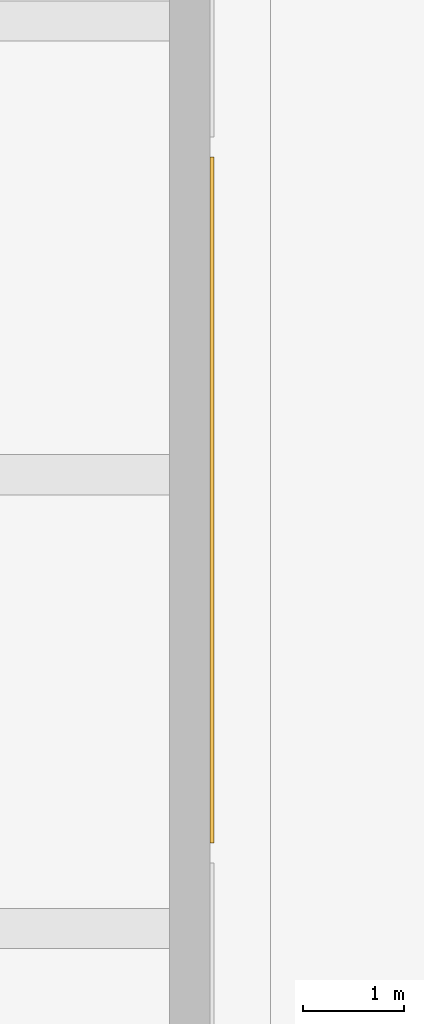
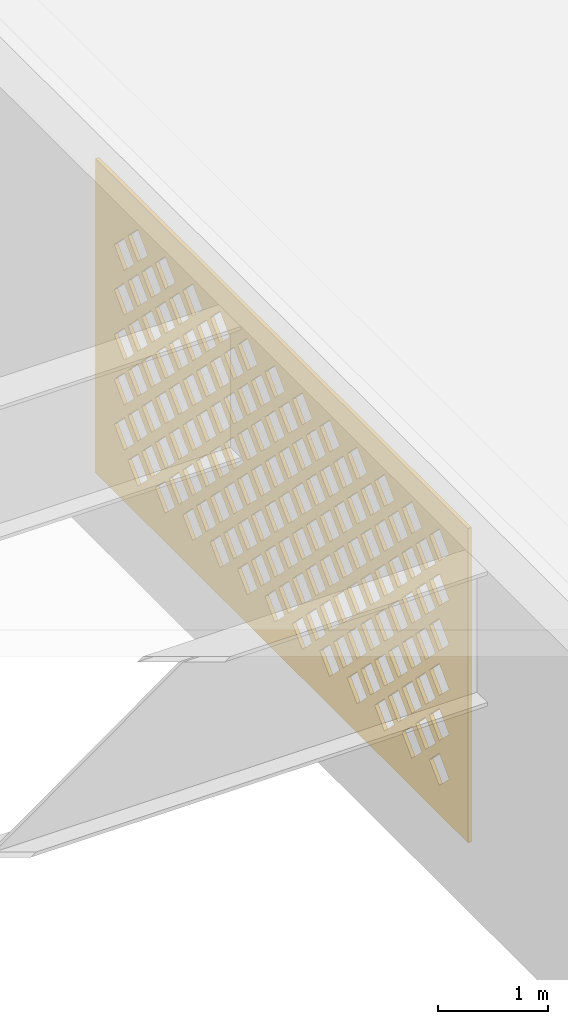
# One storey, part 26 of 63: 1 covering.
"""IFC4 building model written with IfcOpenShell, lengths in metres."""

from ifc_helpers import new_model, si_unit, direction, frame, origin, place, context, subcontext, project, spatial, polyline, outline, extrude, material, layer, layer_set, type_object, element, save


model = new_model("IFC4")

# Units and contexts
model_context = context("Model", 3, precision=1e-05, world=origin(), true_north=direction((0.0, 1.0)))
body_context = subcontext(model_context, "Body", "Model", "MODEL_VIEW")
ifc_project = project(units=[si_unit("LENGTHUNIT", "METRE"), si_unit("AREAUNIT", "SQUARE_METRE"), si_unit("VOLUMEUNIT", "CUBIC_METRE"), si_unit("PLANEANGLEUNIT", "RADIAN"), si_unit("MASSUNIT", "GRAM", prefix="KILO")], contexts=[model_context])

# Site, building, storey
site_placement = place(None, origin())
site = spatial("IfcSite", under=ifc_project, at=site_placement, CompositionType="ELEMENT")
building_placement = place(site_placement, origin())
building = spatial("IfcBuilding", under=site, at=building_placement, Name="Noorbagh Ring Tower", CompositionType="ELEMENT")
storey_placement = place(building_placement, frame((0.0, 0.0, 25.0)))
storey = spatial("IfcBuildingStorey", under=building, at=storey_placement, Name="L04", CompositionType="ELEMENT", Elevation=25.0)

# Covering
ifc_material = material(Name="Red sandstone jali", Category="masonry")
ifc_layer = layer(ifc_material, 0.0400390625)
ifc_layer_set = layer_set([ifc_layer], Name="Red sandstone jali")
covering_type = type_object("IfcCoveringType", Name="STH-BAND", PredefinedType="USERDEFINED", material=ifc_layer_set)
covering_placement = place(storey_placement, frame((-139.760009765625, -5.39990234375, 0.199951171875), z_axis=(1.0, 0.0, 0.0), x_axis=(0.0, 1.0, 0.0)))
element("IfcCovering", 1, at=covering_placement, inside=storey, type_object=covering_type, Name="Jali band of the stage house", ObjectType="JALI SCREEN", PredefinedType="USERDEFINED", context=body_context, shape_type="SweptSolid", body=[
    extrude(outline(polyline([(0.0, 0.0), (6.7998046875, 0.0), (6.7998046875, 3.5), (0.0, 3.5), (0.0, 0.0)]), holes=[polyline([(0.344970703125, 0.5), (0.52490234375, 0.320068359375), (0.705078125, 0.5), (0.52490234375, 0.679931640625), (0.344970703125, 0.5)]), polyline([(0.844970703125, 0.5), (1.02490234375, 0.320068359375), (1.205078125, 0.5), (1.02490234375, 0.679931640625), (0.844970703125, 0.5)]), polyline([(1.344970703125, 0.5), (1.52490234375, 0.320068359375), (1.705078125, 0.5), (1.52490234375, 0.679931640625), (1.344970703125, 0.5)]), polyline([(1.844970703125, 0.5), (2.02490234375, 0.320068359375), (2.205078125, 0.5), (2.02490234375, 0.679931640625), (1.844970703125, 0.5)]), polyline([(2.344970703125, 0.5), (2.52490234375, 0.320068359375), (2.705078125, 0.5), (2.52490234375, 0.679931640625), (2.344970703125, 0.5)]), polyline([(2.844970703125, 0.5), (3.02490234375, 0.320068359375), (3.205078125, 0.5), (3.02490234375, 0.679931640625), (2.844970703125, 0.5)]), polyline([(3.344970703125, 0.5), (3.52490234375, 0.320068359375), (3.705078125, 0.5), (3.52490234375, 0.679931640625), (3.344970703125, 0.5)]), polyline([(3.844970703125, 0.5), (4.02490234375, 0.320068359375), (4.205078125, 0.5), (4.02490234375, 0.679931640625), (3.844970703125, 0.5)]), polyline([(4.344970703125, 0.5), (4.52490234375, 0.320068359375), (4.705078125, 0.5), (4.52490234375, 0.679931640625), (4.344970703125, 0.5)]), polyline([(4.844970703125, 0.5), (5.02490234375, 0.320068359375), (5.205078125, 0.5), (5.02490234375, 0.679931640625), (4.844970703125, 0.5)]), polyline([(5.344970703125, 0.5), (5.52490234375, 0.320068359375), (5.705078125, 0.5), (5.52490234375, 0.679931640625), (5.344970703125, 0.5)]), polyline([(5.844970703125, 0.5), (6.02490234375, 0.320068359375), (6.205078125, 0.5), (6.02490234375, 0.679931640625), (5.844970703125, 0.5)]), polyline([(0.594970703125, 0.75), (0.77490234375, 0.570068359375), (0.955078125, 0.75), (0.77490234375, 0.929931640625), (0.594970703125, 0.75)]), polyline([(1.094970703125, 0.75), (1.27490234375, 0.570068359375), (1.455078125, 0.75), (1.27490234375, 0.929931640625), (1.094970703125, 0.75)]), polyline([(1.594970703125, 0.75), (1.77490234375, 0.570068359375), (1.955078125, 0.75), (1.77490234375, 0.929931640625), (1.594970703125, 0.75)]), polyline([(2.094970703125, 0.75), (2.27490234375, 0.570068359375), (2.455078125, 0.75), (2.27490234375, 0.929931640625), (2.094970703125, 0.75)]), polyline([(2.594970703125, 0.75), (2.77490234375, 0.570068359375), (2.955078125, 0.75), (2.77490234375, 0.929931640625), (2.594970703125, 0.75)]), polyline([(3.094970703125, 0.75), (3.27490234375, 0.570068359375), (3.455078125, 0.75), (3.27490234375, 0.929931640625), (3.094970703125, 0.75)]), polyline([(3.594970703125, 0.75), (3.77490234375, 0.570068359375), (3.955078125, 0.75), (3.77490234375, 0.929931640625), (3.594970703125, 0.75)]), polyline([(4.094970703125, 0.75), (4.27490234375, 0.570068359375), (4.455078125, 0.75), (4.27490234375, 0.929931640625), (4.094970703125, 0.75)]), polyline([(4.594970703125, 0.75), (4.77490234375, 0.570068359375), (4.955078125, 0.75), (4.77490234375, 0.929931640625), (4.594970703125, 0.75)]), polyline([(5.094970703125, 0.75), (5.27490234375, 0.570068359375), (5.455078125, 0.75), (5.27490234375, 0.929931640625), (5.094970703125, 0.75)]), polyline([(5.594970703125, 0.75), (5.77490234375, 0.570068359375), (5.955078125, 0.75), (5.77490234375, 0.929931640625), (5.594970703125, 0.75)]), polyline([(6.094970703125, 0.75), (6.27490234375, 0.570068359375), (6.455078125, 0.75), (6.27490234375, 0.929931640625), (6.094970703125, 0.75)]), polyline([(0.344970703125, 1.0), (0.52490234375, 0.820068359375), (0.705078125, 1.0), (0.52490234375, 1.179931640625), (0.344970703125, 1.0)]), polyline([(0.844970703125, 1.0), (1.02490234375, 0.820068359375), (1.205078125, 1.0), (1.02490234375, 1.179931640625), (0.844970703125, 1.0)]), polyline([(1.344970703125, 1.0), (1.52490234375, 0.820068359375), (1.705078125, 1.0), (1.52490234375, 1.179931640625), (1.344970703125, 1.0)]), polyline([(1.844970703125, 1.0), (2.02490234375, 0.820068359375), (2.205078125, 1.0), (2.02490234375, 1.179931640625), (1.844970703125, 1.0)]), polyline([(2.344970703125, 1.0), (2.52490234375, 0.820068359375), (2.705078125, 1.0), (2.52490234375, 1.179931640625), (2.344970703125, 1.0)]), polyline([(2.844970703125, 1.0), (3.02490234375, 0.820068359375), (3.205078125, 1.0), (3.02490234375, 1.179931640625), (2.844970703125, 1.0)]), polyline([(3.344970703125, 1.0), (3.52490234375, 0.820068359375), (3.705078125, 1.0), (3.52490234375, 1.179931640625), (3.344970703125, 1.0)]), polyline([(3.844970703125, 1.0), (4.02490234375, 0.820068359375), (4.205078125, 1.0), (4.02490234375, 1.179931640625), (3.844970703125, 1.0)]), polyline([(4.344970703125, 1.0), (4.52490234375, 0.820068359375), (4.705078125, 1.0), (4.52490234375, 1.179931640625), (4.344970703125, 1.0)]), polyline([(4.844970703125, 1.0), (5.02490234375, 0.820068359375), (5.205078125, 1.0), (5.02490234375, 1.179931640625), (4.844970703125, 1.0)]), polyline([(5.344970703125, 1.0), (5.52490234375, 0.820068359375), (5.705078125, 1.0), (5.52490234375, 1.179931640625), (5.344970703125, 1.0)]), polyline([(5.844970703125, 1.0), (6.02490234375, 0.820068359375), (6.205078125, 1.0), (6.02490234375, 1.179931640625), (5.844970703125, 1.0)]), polyline([(0.594970703125, 1.25), (0.77490234375, 1.070068359375), (0.955078125, 1.25), (0.77490234375, 1.429931640625), (0.594970703125, 1.25)]), polyline([(1.094970703125, 1.25), (1.27490234375, 1.070068359375), (1.455078125, 1.25), (1.27490234375, 1.429931640625), (1.094970703125, 1.25)]), polyline([(1.594970703125, 1.25), (1.77490234375, 1.070068359375), (1.955078125, 1.25), (1.77490234375, 1.429931640625), (1.594970703125, 1.25)]), polyline([(2.094970703125, 1.25), (2.27490234375, 1.070068359375), (2.455078125, 1.25), (2.27490234375, 1.429931640625), (2.094970703125, 1.25)]), polyline([(2.594970703125, 1.25), (2.77490234375, 1.070068359375), (2.955078125, 1.25), (2.77490234375, 1.429931640625), (2.594970703125, 1.25)]), polyline([(3.094970703125, 1.25), (3.27490234375, 1.070068359375), (3.455078125, 1.25), (3.27490234375, 1.429931640625), (3.094970703125, 1.25)]), polyline([(3.594970703125, 1.25), (3.77490234375, 1.070068359375), (3.955078125, 1.25), (3.77490234375, 1.429931640625), (3.594970703125, 1.25)]), polyline([(4.094970703125, 1.25), (4.27490234375, 1.070068359375), (4.455078125, 1.25), (4.27490234375, 1.429931640625), (4.094970703125, 1.25)]), polyline([(4.594970703125, 1.25), (4.77490234375, 1.070068359375), (4.955078125, 1.25), (4.77490234375, 1.429931640625), (4.594970703125, 1.25)]), polyline([(5.094970703125, 1.25), (5.27490234375, 1.070068359375), (5.455078125, 1.25), (5.27490234375, 1.429931640625), (5.094970703125, 1.25)]), polyline([(5.594970703125, 1.25), (5.77490234375, 1.070068359375), (5.955078125, 1.25), (5.77490234375, 1.429931640625), (5.594970703125, 1.25)]), polyline([(6.094970703125, 1.25), (6.27490234375, 1.070068359375), (6.455078125, 1.25), (6.27490234375, 1.429931640625), (6.094970703125, 1.25)]), polyline([(0.344970703125, 1.5), (0.52490234375, 1.320068359375), (0.705078125, 1.5), (0.52490234375, 1.679931640625), (0.344970703125, 1.5)]), polyline([(0.844970703125, 1.5), (1.02490234375, 1.320068359375), (1.205078125, 1.5), (1.02490234375, 1.679931640625), (0.844970703125, 1.5)]), polyline([(1.344970703125, 1.5), (1.52490234375, 1.320068359375), (1.705078125, 1.5), (1.52490234375, 1.679931640625), (1.344970703125, 1.5)]), polyline([(1.844970703125, 1.5), (2.02490234375, 1.320068359375), (2.205078125, 1.5), (2.02490234375, 1.679931640625), (1.844970703125, 1.5)]), polyline([(2.344970703125, 1.5), (2.52490234375, 1.320068359375), (2.705078125, 1.5), (2.52490234375, 1.679931640625), (2.344970703125, 1.5)]), polyline([(2.844970703125, 1.5), (3.02490234375, 1.320068359375), (3.205078125, 1.5), (3.02490234375, 1.679931640625), (2.844970703125, 1.5)]), polyline([(3.344970703125, 1.5), (3.52490234375, 1.320068359375), (3.705078125, 1.5), (3.52490234375, 1.679931640625), (3.344970703125, 1.5)]), polyline([(3.844970703125, 1.5), (4.02490234375, 1.320068359375), (4.205078125, 1.5), (4.02490234375, 1.679931640625), (3.844970703125, 1.5)]), polyline([(4.344970703125, 1.5), (4.52490234375, 1.320068359375), (4.705078125, 1.5), (4.52490234375, 1.679931640625), (4.344970703125, 1.5)]), polyline([(4.844970703125, 1.5), (5.02490234375, 1.320068359375), (5.205078125, 1.5), (5.02490234375, 1.679931640625), (4.844970703125, 1.5)]), polyline([(5.344970703125, 1.5), (5.52490234375, 1.320068359375), (5.705078125, 1.5), (5.52490234375, 1.679931640625), (5.344970703125, 1.5)]), polyline([(5.844970703125, 1.5), (6.02490234375, 1.320068359375), (6.205078125, 1.5), (6.02490234375, 1.679931640625), (5.844970703125, 1.5)]), polyline([(0.594970703125, 1.75), (0.77490234375, 1.570068359375), (0.955078125, 1.75), (0.77490234375, 1.929931640625), (0.594970703125, 1.75)]), polyline([(1.094970703125, 1.75), (1.27490234375, 1.570068359375), (1.455078125, 1.75), (1.27490234375, 1.929931640625), (1.094970703125, 1.75)]), polyline([(1.594970703125, 1.75), (1.77490234375, 1.570068359375), (1.955078125, 1.75), (1.77490234375, 1.929931640625), (1.594970703125, 1.75)]), polyline([(2.094970703125, 1.75), (2.27490234375, 1.570068359375), (2.455078125, 1.75), (2.27490234375, 1.929931640625), (2.094970703125, 1.75)]), polyline([(2.594970703125, 1.75), (2.77490234375, 1.570068359375), (2.955078125, 1.75), (2.77490234375, 1.929931640625), (2.594970703125, 1.75)]), polyline([(3.094970703125, 1.75), (3.27490234375, 1.570068359375), (3.455078125, 1.75), (3.27490234375, 1.929931640625), (3.094970703125, 1.75)]), polyline([(3.594970703125, 1.75), (3.77490234375, 1.570068359375), (3.955078125, 1.75), (3.77490234375, 1.929931640625), (3.594970703125, 1.75)]), polyline([(4.094970703125, 1.75), (4.27490234375, 1.570068359375), (4.455078125, 1.75), (4.27490234375, 1.929931640625), (4.094970703125, 1.75)]), polyline([(4.594970703125, 1.75), (4.77490234375, 1.570068359375), (4.955078125, 1.75), (4.77490234375, 1.929931640625), (4.594970703125, 1.75)]), polyline([(5.094970703125, 1.75), (5.27490234375, 1.570068359375), (5.455078125, 1.75), (5.27490234375, 1.929931640625), (5.094970703125, 1.75)]), polyline([(5.594970703125, 1.75), (5.77490234375, 1.570068359375), (5.955078125, 1.75), (5.77490234375, 1.929931640625), (5.594970703125, 1.75)]), polyline([(6.094970703125, 1.75), (6.27490234375, 1.570068359375), (6.455078125, 1.75), (6.27490234375, 1.929931640625), (6.094970703125, 1.75)]), polyline([(0.344970703125, 2.0), (0.52490234375, 1.820068359375), (0.705078125, 2.0), (0.52490234375, 2.179931640625), (0.344970703125, 2.0)]), polyline([(0.844970703125, 2.0), (1.02490234375, 1.820068359375), (1.205078125, 2.0), (1.02490234375, 2.179931640625), (0.844970703125, 2.0)]), polyline([(1.344970703125, 2.0), (1.52490234375, 1.820068359375), (1.705078125, 2.0), (1.52490234375, 2.179931640625), (1.344970703125, 2.0)]), polyline([(1.844970703125, 2.0), (2.02490234375, 1.820068359375), (2.205078125, 2.0), (2.02490234375, 2.179931640625), (1.844970703125, 2.0)]), polyline([(2.344970703125, 2.0), (2.52490234375, 1.820068359375), (2.705078125, 2.0), (2.52490234375, 2.179931640625), (2.344970703125, 2.0)]), polyline([(2.844970703125, 2.0), (3.02490234375, 1.820068359375), (3.205078125, 2.0), (3.02490234375, 2.179931640625), (2.844970703125, 2.0)]), polyline([(3.344970703125, 2.0), (3.52490234375, 1.820068359375), (3.705078125, 2.0), (3.52490234375, 2.179931640625), (3.344970703125, 2.0)]), polyline([(3.844970703125, 2.0), (4.02490234375, 1.820068359375), (4.205078125, 2.0), (4.02490234375, 2.179931640625), (3.844970703125, 2.0)]), polyline([(4.344970703125, 2.0), (4.52490234375, 1.820068359375), (4.705078125, 2.0), (4.52490234375, 2.179931640625), (4.344970703125, 2.0)]), polyline([(4.844970703125, 2.0), (5.02490234375, 1.820068359375), (5.205078125, 2.0), (5.02490234375, 2.179931640625), (4.844970703125, 2.0)]), polyline([(5.344970703125, 2.0), (5.52490234375, 1.820068359375), (5.705078125, 2.0), (5.52490234375, 2.179931640625), (5.344970703125, 2.0)]), polyline([(5.844970703125, 2.0), (6.02490234375, 1.820068359375), (6.205078125, 2.0), (6.02490234375, 2.179931640625), (5.844970703125, 2.0)]), polyline([(0.594970703125, 2.25), (0.77490234375, 2.070068359375), (0.955078125, 2.25), (0.77490234375, 2.429931640625), (0.594970703125, 2.25)]), polyline([(1.094970703125, 2.25), (1.27490234375, 2.070068359375), (1.455078125, 2.25), (1.27490234375, 2.429931640625), (1.094970703125, 2.25)]), polyline([(1.594970703125, 2.25), (1.77490234375, 2.070068359375), (1.955078125, 2.25), (1.77490234375, 2.429931640625), (1.594970703125, 2.25)]), polyline([(2.094970703125, 2.25), (2.27490234375, 2.070068359375), (2.455078125, 2.25), (2.27490234375, 2.429931640625), (2.094970703125, 2.25)]), polyline([(2.594970703125, 2.25), (2.77490234375, 2.070068359375), (2.955078125, 2.25), (2.77490234375, 2.429931640625), (2.594970703125, 2.25)]), polyline([(3.094970703125, 2.25), (3.27490234375, 2.070068359375), (3.455078125, 2.25), (3.27490234375, 2.429931640625), (3.094970703125, 2.25)]), polyline([(3.594970703125, 2.25), (3.77490234375, 2.070068359375), (3.955078125, 2.25), (3.77490234375, 2.429931640625), (3.594970703125, 2.25)]), polyline([(4.094970703125, 2.25), (4.27490234375, 2.070068359375), (4.455078125, 2.25), (4.27490234375, 2.429931640625), (4.094970703125, 2.25)]), polyline([(4.594970703125, 2.25), (4.77490234375, 2.070068359375), (4.955078125, 2.25), (4.77490234375, 2.429931640625), (4.594970703125, 2.25)]), polyline([(5.094970703125, 2.25), (5.27490234375, 2.070068359375), (5.455078125, 2.25), (5.27490234375, 2.429931640625), (5.094970703125, 2.25)]), polyline([(5.594970703125, 2.25), (5.77490234375, 2.070068359375), (5.955078125, 2.25), (5.77490234375, 2.429931640625), (5.594970703125, 2.25)]), polyline([(6.094970703125, 2.25), (6.27490234375, 2.070068359375), (6.455078125, 2.25), (6.27490234375, 2.429931640625), (6.094970703125, 2.25)]), polyline([(0.344970703125, 2.5), (0.52490234375, 2.320068359375), (0.705078125, 2.5), (0.52490234375, 2.679931640625), (0.344970703125, 2.5)]), polyline([(0.844970703125, 2.5), (1.02490234375, 2.320068359375), (1.205078125, 2.5), (1.02490234375, 2.679931640625), (0.844970703125, 2.5)]), polyline([(1.344970703125, 2.5), (1.52490234375, 2.320068359375), (1.705078125, 2.5), (1.52490234375, 2.679931640625), (1.344970703125, 2.5)]), polyline([(1.844970703125, 2.5), (2.02490234375, 2.320068359375), (2.205078125, 2.5), (2.02490234375, 2.679931640625), (1.844970703125, 2.5)]), polyline([(2.344970703125, 2.5), (2.52490234375, 2.320068359375), (2.705078125, 2.5), (2.52490234375, 2.679931640625), (2.344970703125, 2.5)]), polyline([(2.844970703125, 2.5), (3.02490234375, 2.320068359375), (3.205078125, 2.5), (3.02490234375, 2.679931640625), (2.844970703125, 2.5)]), polyline([(3.344970703125, 2.5), (3.52490234375, 2.320068359375), (3.705078125, 2.5), (3.52490234375, 2.679931640625), (3.344970703125, 2.5)]), polyline([(3.844970703125, 2.5), (4.02490234375, 2.320068359375), (4.205078125, 2.5), (4.02490234375, 2.679931640625), (3.844970703125, 2.5)]), polyline([(4.344970703125, 2.5), (4.52490234375, 2.320068359375), (4.705078125, 2.5), (4.52490234375, 2.679931640625), (4.344970703125, 2.5)]), polyline([(4.844970703125, 2.5), (5.02490234375, 2.320068359375), (5.205078125, 2.5), (5.02490234375, 2.679931640625), (4.844970703125, 2.5)]), polyline([(5.344970703125, 2.5), (5.52490234375, 2.320068359375), (5.705078125, 2.5), (5.52490234375, 2.679931640625), (5.344970703125, 2.5)]), polyline([(5.844970703125, 2.5), (6.02490234375, 2.320068359375), (6.205078125, 2.5), (6.02490234375, 2.679931640625), (5.844970703125, 2.5)]), polyline([(0.594970703125, 2.75), (0.77490234375, 2.570068359375), (0.955078125, 2.75), (0.77490234375, 2.929931640625), (0.594970703125, 2.75)]), polyline([(1.094970703125, 2.75), (1.27490234375, 2.570068359375), (1.455078125, 2.75), (1.27490234375, 2.929931640625), (1.094970703125, 2.75)]), polyline([(1.594970703125, 2.75), (1.77490234375, 2.570068359375), (1.955078125, 2.75), (1.77490234375, 2.929931640625), (1.594970703125, 2.75)]), polyline([(2.094970703125, 2.75), (2.27490234375, 2.570068359375), (2.455078125, 2.75), (2.27490234375, 2.929931640625), (2.094970703125, 2.75)]), polyline([(2.594970703125, 2.75), (2.77490234375, 2.570068359375), (2.955078125, 2.75), (2.77490234375, 2.929931640625), (2.594970703125, 2.75)]), polyline([(3.094970703125, 2.75), (3.27490234375, 2.570068359375), (3.455078125, 2.75), (3.27490234375, 2.929931640625), (3.094970703125, 2.75)]), polyline([(3.594970703125, 2.75), (3.77490234375, 2.570068359375), (3.955078125, 2.75), (3.77490234375, 2.929931640625), (3.594970703125, 2.75)]), polyline([(4.094970703125, 2.75), (4.27490234375, 2.570068359375), (4.455078125, 2.75), (4.27490234375, 2.929931640625), (4.094970703125, 2.75)]), polyline([(4.594970703125, 2.75), (4.77490234375, 2.570068359375), (4.955078125, 2.75), (4.77490234375, 2.929931640625), (4.594970703125, 2.75)]), polyline([(5.094970703125, 2.75), (5.27490234375, 2.570068359375), (5.455078125, 2.75), (5.27490234375, 2.929931640625), (5.094970703125, 2.75)]), polyline([(5.594970703125, 2.75), (5.77490234375, 2.570068359375), (5.955078125, 2.75), (5.77490234375, 2.929931640625), (5.594970703125, 2.75)]), polyline([(6.094970703125, 2.75), (6.27490234375, 2.570068359375), (6.455078125, 2.75), (6.27490234375, 2.929931640625), (6.094970703125, 2.75)]), polyline([(0.344970703125, 3.0), (0.52490234375, 2.820068359375), (0.705078125, 3.0), (0.52490234375, 3.179931640625), (0.344970703125, 3.0)]), polyline([(0.844970703125, 3.0), (1.02490234375, 2.820068359375), (1.205078125, 3.0), (1.02490234375, 3.179931640625), (0.844970703125, 3.0)]), polyline([(1.344970703125, 3.0), (1.52490234375, 2.820068359375), (1.705078125, 3.0), (1.52490234375, 3.179931640625), (1.344970703125, 3.0)]), polyline([(1.844970703125, 3.0), (2.02490234375, 2.820068359375), (2.205078125, 3.0), (2.02490234375, 3.179931640625), (1.844970703125, 3.0)]), polyline([(2.344970703125, 3.0), (2.52490234375, 2.820068359375), (2.705078125, 3.0), (2.52490234375, 3.179931640625), (2.344970703125, 3.0)]), polyline([(2.844970703125, 3.0), (3.02490234375, 2.820068359375), (3.205078125, 3.0), (3.02490234375, 3.179931640625), (2.844970703125, 3.0)]), polyline([(3.344970703125, 3.0), (3.52490234375, 2.820068359375), (3.705078125, 3.0), (3.52490234375, 3.179931640625), (3.344970703125, 3.0)]), polyline([(3.844970703125, 3.0), (4.02490234375, 2.820068359375), (4.205078125, 3.0), (4.02490234375, 3.179931640625), (3.844970703125, 3.0)]), polyline([(4.344970703125, 3.0), (4.52490234375, 2.820068359375), (4.705078125, 3.0), (4.52490234375, 3.179931640625), (4.344970703125, 3.0)]), polyline([(4.844970703125, 3.0), (5.02490234375, 2.820068359375), (5.205078125, 3.0), (5.02490234375, 3.179931640625), (4.844970703125, 3.0)]), polyline([(5.344970703125, 3.0), (5.52490234375, 2.820068359375), (5.705078125, 3.0), (5.52490234375, 3.179931640625), (5.344970703125, 3.0)]), polyline([(5.844970703125, 3.0), (6.02490234375, 2.820068359375), (6.205078125, 3.0), (6.02490234375, 3.179931640625), (5.844970703125, 3.0)])]), origin(), (0.0, 0.0, -1.0), 0.0400390625),
])

save(model, "model.ifc")
